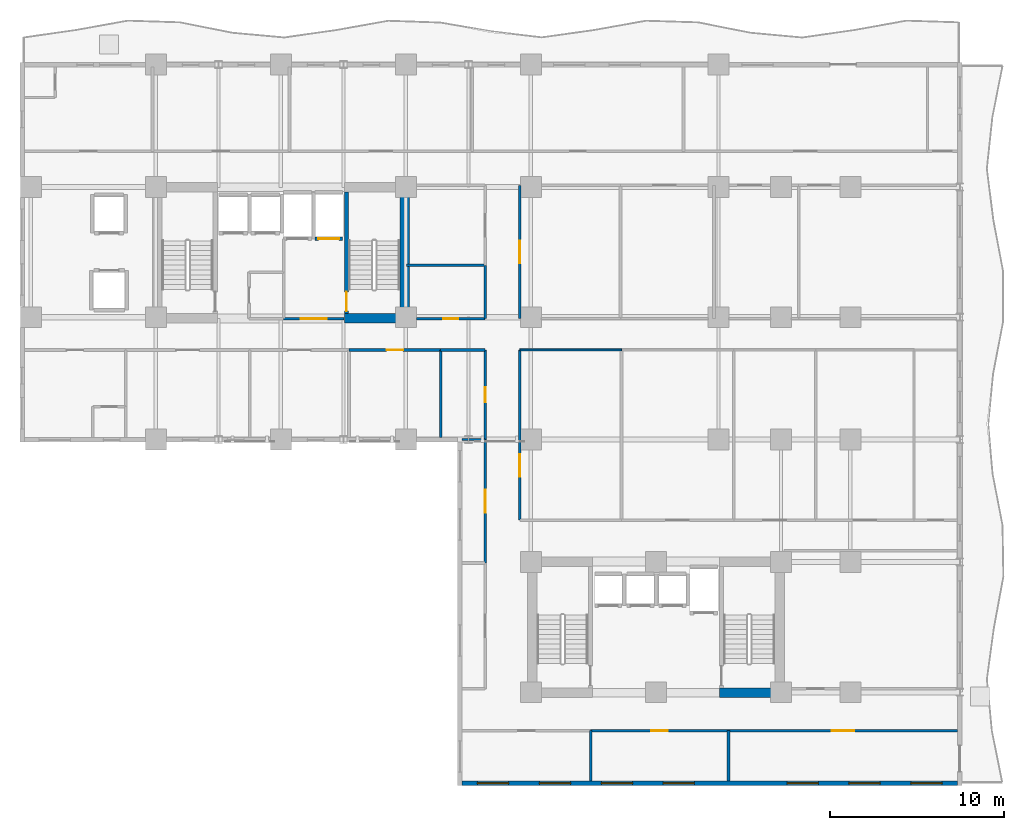
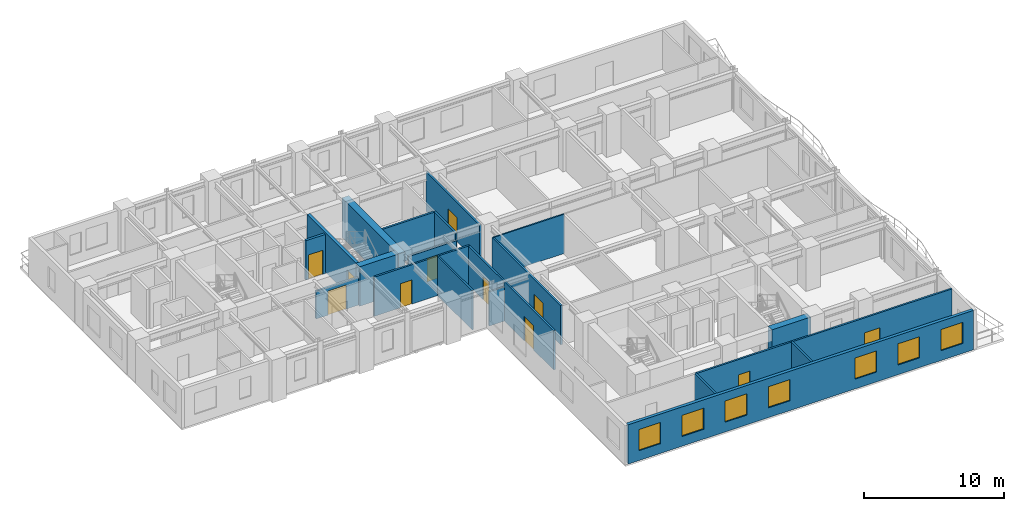
# One storey, part 4 of 11: 23 walls, 11 doors, 7 windows, 18 openings.
"""IFC4 building model written with IfcOpenShell, lengths in metres."""

from ifc_helpers import new_model, si_unit, direction, frame, frame_2d, origin, place, context, subcontext, project, spatial, rectangle, extrude, material, layer, layer_set, type_object, element, fill, save


model = new_model("IFC4")

# Units and contexts
model_context = context("Model", 3, precision=1e-05, world=origin(), true_north=direction((0.0, 1.0)))
body_context = subcontext(model_context, "Body", "Model", "MODEL_VIEW")
ifc_project = project(units=[si_unit("LENGTHUNIT", "METRE"), si_unit("AREAUNIT", "SQUARE_METRE"), si_unit("VOLUMEUNIT", "CUBIC_METRE"), si_unit("PLANEANGLEUNIT", "RADIAN"), si_unit("MASSUNIT", "GRAM", prefix="KILO")], contexts=[model_context])

# Site, building, storey
site_placement = place(None, origin())
site = spatial("IfcSite", under=ifc_project, at=site_placement, CompositionType="ELEMENT")
building_placement = place(site_placement, origin())
building = spatial("IfcBuilding", under=site, at=building_placement, Name="Kaliganga Portal Commons", CompositionType="ELEMENT")
storey_placement = place(building_placement, frame((0.0, 0.0, 104.5)))
storey = spatial("IfcBuildingStorey", under=building, at=storey_placement, Name="L26", CompositionType="ELEMENT", Elevation=104.5)

# Walls
ifc_material_1 = material(Name="Concrete C60/75", Category="concrete")
ifc_layer_1 = layer(ifc_material_1, 0.550048828125)
ifc_layer_set_1 = layer_set([ifc_layer_1], Name="Concrete C60/75")
wall_type_1 = type_object("IfcWallType", Name="WL-CORE-550", PredefinedType="SHEAR", material=ifc_layer_set_1)
wall_1_placement = place(storey_placement, frame((28.72509765625, 28.300048828125, 0.0), z_axis=(0.0, 0.0, 1.0), x_axis=(0.0, 1.0, 0.0)))
element("IfcWall", 1, at=wall_1_placement, inside=storey, type_object=wall_type_1, Name="Core A East Shear Wall L26", PredefinedType="SHEAR", context=body_context, shape_type="SweptSolid", body=[
    extrude(rectangle(XDim=8.099853515625, YDim=0.550048828125, at=frame_2d((4.0498046875, 0.0))), origin(), (0.0, 0.0, 1.0), 3.449951171875),
])
for number, where, z_axis, x_axis, name in (
    (2, (25.25, 28.574951171875, 0.0), (0.0, 0.0, 1.0), (1.0, 0.0, 0.0), "Core A S-East Shear Wall L26"),
    (3, (46.85009765625, 7.02490234375, 0.0), (0.0, 0.0, 1.0), (1.0, 0.0, 0.0), "Core B S-East Shear Wall L26"),
):
    element("IfcWall", number, at=place(storey_placement, frame(where, z_axis=z_axis, x_axis=x_axis)), inside=storey, type_object=wall_type_1, Name=name, PredefinedType="SHEAR", context=body_context, shape_type="SweptSolid", body=[
        extrude(rectangle(XDim=3.199951171875, YDim=0.550048828125, at=frame_2d((1.60009765625, 0.0))), origin(), (0.0, 0.0, 1.0), 3.449951171875),
    ])

# Wall, openings, windows
ifc_material_2 = material(Name="Insulated Aluminium-Clad Spandrel Assembly", Category="aluminium")
ifc_layer_2 = layer(ifc_material_2, 0.260009765625)
ifc_layer_set_2 = layer_set([ifc_layer_2], Name="Insulated Aluminium-Clad Spandrel Assembly")
wall_type_2 = type_object("IfcWallType", Name="WL-EXT-SPAND-260", PredefinedType="STANDARD", material=ifc_layer_set_2)
wall_2_placement = place(storey_placement, frame((60.56494140625, 1.800048828125, 0.0), z_axis=(0.0, 0.0, 1.0), x_axis=(-1.0, 0.0, 0.0)))
wall_2 = element("IfcWall", 4, at=wall_2_placement, inside=storey, type_object=wall_type_2, Name="Exterior Envelope Wall L26 P1-E00-S1", PredefinedType="STANDARD", context=body_context, shape_type="SweptSolid", body=[
    extrude(rectangle(XDim=28.530029296875, YDim=0.260009765625, at=frame_2d((14.26513671875, 0.0))), origin(), (0.0, 0.0, 1.0), 3.429931640625),
])
opening_1_placement = place(wall_2_placement, frame((0.883056640625, 0.0, 0.85009765625)))
opening_1 = element("IfcOpeningElement", 5, at=opening_1_placement, cuts=wall_2, Name="Opening W-01", PredefinedType="OPENING", context=body_context, shape_type="SweptSolid", body=[
    extrude(rectangle(XDim=1.800048828125, YDim=1.85009765625, at=frame_2d((0.89990234375, 0.925048828125))), frame((0.0, 0.14013671875, 0.0), z_axis=(0.0, -1.0, 0.0), x_axis=(1.0, 0.0, 0.0)), (0.0, 0.0, 1.0), 0.280029296875),
])
opening_2_placement = place(wall_2_placement, frame((4.449462890625, 0.0, 0.85009765625)))
opening_2 = element("IfcOpeningElement", 6, at=opening_2_placement, cuts=wall_2, Name="Opening W-01", PredefinedType="OPENING", context=body_context, shape_type="SweptSolid", body=[
    extrude(rectangle(XDim=1.800048828125, YDim=1.85009765625, at=frame_2d((0.89990234375, 0.925048828125))), frame((0.0, 0.14013671875, 0.0), z_axis=(0.0, -1.0, 0.0), x_axis=(1.0, 0.0, 0.0)), (0.0, 0.0, 1.0), 0.280029296875),
])
opening_3_placement = place(wall_2_placement, frame((8.015625, 0.0, 0.85009765625)))
opening_3 = element("IfcOpeningElement", 7, at=opening_3_placement, cuts=wall_2, Name="Opening W-01", PredefinedType="OPENING", context=body_context, shape_type="SweptSolid", body=[
    extrude(rectangle(XDim=1.800048828125, YDim=1.85009765625, at=frame_2d((0.89990234375, 0.925048828125))), frame((0.0, 0.14013671875, 0.0), z_axis=(0.0, -1.0, 0.0), x_axis=(1.0, 0.0, 0.0)), (0.0, 0.0, 1.0), 0.280029296875),
])
opening_4_placement = place(wall_2_placement, frame((15.148193359375, 0.0, 0.85009765625)))
opening_4 = element("IfcOpeningElement", 8, at=opening_4_placement, cuts=wall_2, Name="Opening W-01", PredefinedType="OPENING", context=body_context, shape_type="SweptSolid", body=[
    extrude(rectangle(XDim=1.800048828125, YDim=1.85009765625, at=frame_2d((0.89990234375, 0.925048828125))), frame((0.0, 0.14013671875, 0.0), z_axis=(0.0, -1.0, 0.0), x_axis=(1.0, 0.0, 0.0)), (0.0, 0.0, 1.0), 0.280029296875),
])
opening_5_placement = place(wall_2_placement, frame((18.71435546875, 0.0, 0.85009765625)))
opening_5 = element("IfcOpeningElement", 9, at=opening_5_placement, cuts=wall_2, Name="Opening W-01", PredefinedType="OPENING", context=body_context, shape_type="SweptSolid", body=[
    extrude(rectangle(XDim=1.800048828125, YDim=1.85009765625, at=frame_2d((0.89990234375, 0.925048828125))), frame((0.0, 0.14013671875, 0.0), z_axis=(0.0, -1.0, 0.0), x_axis=(1.0, 0.0, 0.0)), (0.0, 0.0, 1.0), 0.280029296875),
])
opening_6_placement = place(wall_2_placement, frame((22.280517578125, 0.0, 0.85009765625)))
opening_6 = element("IfcOpeningElement", 10, at=opening_6_placement, cuts=wall_2, Name="Opening W-01", PredefinedType="OPENING", context=body_context, shape_type="SweptSolid", body=[
    extrude(rectangle(XDim=1.800048828125, YDim=1.85009765625, at=frame_2d((0.89990234375, 0.925048828125))), frame((0.0, 0.14013671875, 0.0), z_axis=(0.0, -1.0, 0.0), x_axis=(1.0, 0.0, 0.0)), (0.0, 0.0, 1.0), 0.280029296875),
])
opening_7_placement = place(wall_2_placement, frame((25.846923828125, 0.0, 0.85009765625)))
opening_7 = element("IfcOpeningElement", 11, at=opening_7_placement, cuts=wall_2, Name="Opening W-01", PredefinedType="OPENING", context=body_context, shape_type="SweptSolid", body=[
    extrude(rectangle(XDim=1.800048828125, YDim=1.85009765625, at=frame_2d((0.89990234375, 0.925048828125))), frame((0.0, 0.14013671875, 0.0), z_axis=(0.0, -1.0, 0.0), x_axis=(1.0, 0.0, 0.0)), (0.0, 0.0, 1.0), 0.280029296875),
])
ifc_material_3 = material(Name="Thermally Broken Aluminium and Low-E Double Glazing", Category="aluminium")
window_type = type_object("IfcWindowType", Name="WIN-STD-1800", PartitioningType="DOUBLE_PANEL_VERTICAL", PredefinedType="WINDOW", material=ifc_material_3)
window_1_placement = place(opening_1_placement, origin())
window_1 = element("IfcWindow", 12, at=window_1_placement, inside=storey, type_object=window_type, Name="Facade Window L26-P1E00S1-00", OverallHeight=1.85009765625, OverallWidth=1.800048828125, PartitioningType="SINGLE_PANEL", PredefinedType="WINDOW", context=body_context, shape_type="SweptSolid", body=[
    extrude(rectangle(XDim=1.800048828125, YDim=1.85009765625, at=frame_2d((0.89990234375, 0.925048828125))), frame((0.0, 0.030029296875, 0.0), z_axis=(0.0, -1.0, 0.0), x_axis=(1.0, 0.0, 0.0)), (0.0, 0.0, 1.0), 0.06005859375),
])
fill(opening_1, window_1)
window_2_placement = place(opening_2_placement, origin())
window_2 = element("IfcWindow", 13, at=window_2_placement, inside=storey, type_object=window_type, Name="Facade Window L26-P1E00S1-01", OverallHeight=1.85009765625, OverallWidth=1.800048828125, PartitioningType="SINGLE_PANEL", PredefinedType="WINDOW", context=body_context, shape_type="SweptSolid", body=[
    extrude(rectangle(XDim=1.800048828125, YDim=1.85009765625, at=frame_2d((0.89990234375, 0.925048828125))), frame((0.0, 0.030029296875, 0.0), z_axis=(0.0, -1.0, 0.0), x_axis=(1.0, 0.0, 0.0)), (0.0, 0.0, 1.0), 0.06005859375),
])
fill(opening_2, window_2)
window_3_placement = place(opening_3_placement, origin())
window_3 = element("IfcWindow", 14, at=window_3_placement, inside=storey, type_object=window_type, Name="Facade Window L26-P1E00S1-02", OverallHeight=1.85009765625, OverallWidth=1.800048828125, PartitioningType="SINGLE_PANEL", PredefinedType="WINDOW", context=body_context, shape_type="SweptSolid", body=[
    extrude(rectangle(XDim=1.800048828125, YDim=1.85009765625, at=frame_2d((0.89990234375, 0.925048828125))), frame((0.0, 0.030029296875, 0.0), z_axis=(0.0, -1.0, 0.0), x_axis=(1.0, 0.0, 0.0)), (0.0, 0.0, 1.0), 0.06005859375),
])
fill(opening_3, window_3)
window_4_placement = place(opening_4_placement, origin())
window_4 = element("IfcWindow", 15, at=window_4_placement, inside=storey, type_object=window_type, Name="Facade Window L26-P1E00S1-04", OverallHeight=1.85009765625, OverallWidth=1.800048828125, PartitioningType="SINGLE_PANEL", PredefinedType="WINDOW", context=body_context, shape_type="SweptSolid", body=[
    extrude(rectangle(XDim=1.800048828125, YDim=1.85009765625, at=frame_2d((0.89990234375, 0.925048828125))), frame((0.0, 0.030029296875, 0.0), z_axis=(0.0, -1.0, 0.0), x_axis=(1.0, 0.0, 0.0)), (0.0, 0.0, 1.0), 0.06005859375),
])
fill(opening_4, window_4)
window_5_placement = place(opening_5_placement, origin())
window_5 = element("IfcWindow", 16, at=window_5_placement, inside=storey, type_object=window_type, Name="Facade Window L26-P1E00S1-05", OverallHeight=1.85009765625, OverallWidth=1.800048828125, PartitioningType="SINGLE_PANEL", PredefinedType="WINDOW", context=body_context, shape_type="SweptSolid", body=[
    extrude(rectangle(XDim=1.800048828125, YDim=1.85009765625, at=frame_2d((0.89990234375, 0.925048828125))), frame((0.0, 0.030029296875, 0.0), z_axis=(0.0, -1.0, 0.0), x_axis=(1.0, 0.0, 0.0)), (0.0, 0.0, 1.0), 0.06005859375),
])
fill(opening_5, window_5)
window_6_placement = place(opening_6_placement, origin())
window_6 = element("IfcWindow", 17, at=window_6_placement, inside=storey, type_object=window_type, Name="Facade Window L26-P1E00S1-06", OverallHeight=1.85009765625, OverallWidth=1.800048828125, PartitioningType="SINGLE_PANEL", PredefinedType="WINDOW", context=body_context, shape_type="SweptSolid", body=[
    extrude(rectangle(XDim=1.800048828125, YDim=1.85009765625, at=frame_2d((0.89990234375, 0.925048828125))), frame((0.0, 0.030029296875, 0.0), z_axis=(0.0, -1.0, 0.0), x_axis=(1.0, 0.0, 0.0)), (0.0, 0.0, 1.0), 0.06005859375),
])
fill(opening_6, window_6)
window_7_placement = place(opening_7_placement, origin())
window_7 = element("IfcWindow", 18, at=window_7_placement, inside=storey, type_object=window_type, Name="Facade Window L26-P1E00S1-07", OverallHeight=1.85009765625, OverallWidth=1.800048828125, PartitioningType="SINGLE_PANEL", PredefinedType="WINDOW", context=body_context, shape_type="SweptSolid", body=[
    extrude(rectangle(XDim=1.800048828125, YDim=1.85009765625, at=frame_2d((0.89990234375, 0.925048828125))), frame((0.0, 0.030029296875, 0.0), z_axis=(0.0, -1.0, 0.0), x_axis=(1.0, 0.0, 0.0)), (0.0, 0.0, 1.0), 0.06005859375),
])
fill(opening_7, window_7)

# Wall, opening, door
ifc_material_4 = material(Name="Fire-Rated Gypsum Board on Steel Stud", Category="steel")
ifc_layer_3 = layer(ifc_material_4, 0.14990234375)
ifc_layer_set_3 = layer_set([ifc_layer_3], Name="Fire-Rated Gypsum Board on Steel Stud")
wall_type_3 = type_object("IfcWallType", Name="WL-PART-CORR-150", PredefinedType="PARTITIONING", material=ifc_layer_set_3)
wall_3_placement = place(storey_placement, frame((47.3798828125, 4.840087890625, 0.0), z_axis=(0.0, 0.0, 1.0), x_axis=(1.0, 0.0, 0.0)))
wall_3 = element("IfcWall", 19, at=wall_3_placement, inside=storey, type_object=wall_type_3, Name="Interior Partition L26-007", PredefinedType="PARTITIONING", context=body_context, shape_type="SweptSolid", body=[
    extrude(rectangle(XDim=13.188232421875, YDim=0.14990234375, at=frame_2d((6.59423828125, 0.0))), origin(), (0.0, 0.0, 1.0), 3.429931640625),
])
opening_8_placement = place(wall_3_placement, frame((5.944091796875, 0.0, 0.0)))
opening_8 = element("IfcOpeningElement", 20, at=opening_8_placement, cuts=wall_3, Name="Opening RD-03", PredefinedType="OPENING", context=body_context, shape_type="SweptSolid", body=[
    extrude(rectangle(XDim=1.300048828125, YDim=2.1201171875, at=frame_2d((0.64990234375, 1.06005859375))), frame((0.0, 0.0849609375, 0.0), z_axis=(0.0, -1.0, 0.0), x_axis=(1.0, 0.0, 0.0)), (0.0, 0.0, 1.0), 0.169921875),
])
ifc_material_5 = material(Name="Glazed Timber Seminar Vision Door", Category="wood")
door_type_1 = type_object("IfcDoorType", Name="DR-STUDY-1300", OperationType="DOUBLE_DOOR_SINGLE_SWING", PredefinedType="DOOR", material=ifc_material_5)
door_1_placement = place(opening_8_placement, origin())
door_1 = element("IfcDoor", 21, at=door_1_placement, inside=storey, type_object=door_type_1, Name="Interior Door L26-BS03", OperationType="DOUBLE_DOOR_SINGLE_SWING", OverallHeight=2.1201171875, OverallWidth=1.300048828125, PredefinedType="DOOR", context=body_context, shape_type="SweptSolid", body=[
    extrude(rectangle(XDim=1.300048828125, YDim=2.1201171875, at=frame_2d((0.64990234375, 1.06005859375))), frame((0.0, 0.02490234375, 0.0), z_axis=(0.0, -1.0, 0.0), x_axis=(1.0, 0.0, 0.0)), (0.0, 0.0, 1.0), 0.050048828125),
])
fill(opening_8, door_1)

wall_4_placement = place(storey_placement, frame((35.360107421875, 16.9599609375, 0.0), z_axis=(0.0, 0.0, 1.0), x_axis=(0.0, 1.0, 0.0)))
wall_4 = element("IfcWall", 22, at=wall_4_placement, inside=storey, type_object=wall_type_3, Name="Interior Partition L26-013", PredefinedType="PARTITIONING", context=body_context, shape_type="SweptSolid", body=[
    extrude(rectangle(XDim=9.800048828125, YDim=0.14990234375, at=frame_2d((4.89990234375, 0.0))), origin(), (0.0, 0.0, 1.0), 3.429931640625),
])
opening_9_placement = place(wall_4_placement, frame((2.486083984375, 0.0, 0.0)))
opening_9 = element("IfcOpeningElement", 23, at=opening_9_placement, cuts=wall_4, Name="Opening RD-03", PredefinedType="OPENING", context=body_context, shape_type="SweptSolid", body=[
    extrude(rectangle(XDim=1.300048828125, YDim=2.1201171875, at=frame_2d((0.64990234375, 1.06005859375))), frame((0.0, 0.0849609375, 0.0), z_axis=(0.0, -1.0, 0.0), x_axis=(1.0, 0.0, 0.0)), (0.0, 0.0, 1.0), 0.169921875),
])
door_2_placement = place(opening_9_placement, origin())
door_2 = element("IfcDoor", 24, at=door_2_placement, inside=storey, type_object=door_type_1, Name="Interior Door L26-BM01", OperationType="DOUBLE_DOOR_SINGLE_SWING", OverallHeight=2.1201171875, OverallWidth=1.300048828125, PredefinedType="DOOR", context=body_context, shape_type="SweptSolid", body=[
    extrude(rectangle(XDim=1.300048828125, YDim=2.1201171875, at=frame_2d((0.64990234375, 1.06005859375))), frame((0.0, 0.02490234375, 0.0), z_axis=(0.0, -1.0, 0.0), x_axis=(1.0, 0.0, 0.0)), (0.0, 0.0, 1.0), 0.050048828125),
])
fill(opening_9, door_2)

wall_5_placement = place(storey_placement, frame((39.43994140625, 4.840087890625, 0.0), z_axis=(0.0, 0.0, 1.0), x_axis=(1.0, 0.0, 0.0)))
wall_5 = element("IfcWall", 25, at=wall_5_placement, inside=storey, type_object=wall_type_3, Name="Interior Partition L26-016", PredefinedType="PARTITIONING", context=body_context, shape_type="SweptSolid", body=[
    extrude(rectangle(XDim=7.93994140625, YDim=0.14990234375, at=frame_2d((3.969970703125, 0.0))), origin(), (0.0, 0.0, 1.0), 3.429931640625),
])
opening_10_placement = place(wall_5_placement, frame((3.4951171875, 0.0, 0.0)))
opening_10 = element("IfcOpeningElement", 26, at=opening_10_placement, cuts=wall_5, Name="Opening UD-01", PredefinedType="OPENING", context=body_context, shape_type="SweptSolid", body=[
    extrude(rectangle(XDim=0.949951171875, YDim=2.10009765625, at=frame_2d((0.47509765625, 1.050048828125))), frame((0.0, 0.0849609375, 0.0), z_axis=(0.0, -1.0, 0.0), x_axis=(1.0, 0.0, 0.0)), (0.0, 0.0, 1.0), 0.169921875),
])
ifc_material_6 = material(Name="Solid-Core Timber Acoustic Fire Door", Category="wood")
door_type_2 = type_object("IfcDoorType", Name="DR-UNIT-950", OperationType="NOTDEFINED", PredefinedType="DOOR", material=ifc_material_6)
door_3_placement = place(opening_10_placement, origin())
door_3 = element("IfcDoor", 27, at=door_3_placement, inside=storey, type_object=door_type_2, Name="Interior Door L26-BS02", OperationType="SINGLE_SWING_RIGHT", OverallHeight=2.10009765625, OverallWidth=0.949951171875, PredefinedType="DOOR", context=body_context, shape_type="SweptSolid", body=[
    extrude(rectangle(XDim=0.949951171875, YDim=2.10009765625, at=frame_2d((0.47509765625, 1.050048828125))), frame((0.0, 0.02490234375, 0.0), z_axis=(0.0, -1.0, 0.0), x_axis=(1.0, 0.0, 0.0)), (0.0, 0.0, 1.0), 0.050048828125),
])
fill(opening_10, door_3)

wall_6_placement = place(storey_placement, frame((35.360107421875, 28.56005859375, 0.0), z_axis=(0.0, 0.0, 1.0), x_axis=(0.0, 1.0, 0.0)))
wall_6 = element("IfcWall", 28, at=wall_6_placement, inside=storey, type_object=wall_type_3, Name="Interior Partition L26-018", PredefinedType="PARTITIONING", context=body_context, shape_type="SweptSolid", body=[
    extrude(rectangle(XDim=7.679931640625, YDim=0.14990234375, at=frame_2d((3.83984375, 0.0))), origin(), (0.0, 0.0, 1.0), 3.429931640625),
])
opening_11_placement = place(wall_6_placement, frame((3.18994140625, 0.0, 0.0)))
opening_11 = element("IfcOpeningElement", 29, at=opening_11_placement, cuts=wall_6, Name="Opening RD-03", PredefinedType="OPENING", context=body_context, shape_type="SweptSolid", body=[
    extrude(rectangle(XDim=1.300048828125, YDim=2.1201171875, at=frame_2d((0.64990234375, 1.06005859375))), frame((0.0, 0.0849609375, 0.0), z_axis=(0.0, -1.0, 0.0), x_axis=(1.0, 0.0, 0.0)), (0.0, 0.0, 1.0), 0.169921875),
])
door_4_placement = place(opening_11_placement, origin())
door_4 = element("IfcDoor", 30, at=door_4_placement, inside=storey, type_object=door_type_1, Name="Interior Door L26-BK01", OperationType="DOUBLE_DOOR_SINGLE_SWING", OverallHeight=2.1201171875, OverallWidth=1.300048828125, PredefinedType="DOOR", context=body_context, shape_type="SweptSolid", body=[
    extrude(rectangle(XDim=1.300048828125, YDim=2.1201171875, at=frame_2d((0.64990234375, 1.06005859375))), frame((0.0, 0.02490234375, 0.0), z_axis=(0.0, -1.0, 0.0), x_axis=(1.0, 0.0, 0.0)), (0.0, 0.0, 1.0), 0.050048828125),
])
fill(opening_11, door_4)

wall_7_placement = place(storey_placement, frame((33.360107421875, 14.5, 0.0), z_axis=(0.0, 0.0, 1.0), x_axis=(0.0, 1.0, 0.0)))
wall_7 = element("IfcWall", 31, at=wall_7_placement, inside=storey, type_object=wall_type_3, Name="Interior Partition L26-023", PredefinedType="PARTITIONING", context=body_context, shape_type="SweptSolid", body=[
    extrude(rectangle(XDim=7.10009765625, YDim=0.14990234375, at=frame_2d((3.550048828125, 0.0))), origin(), (0.0, 0.0, 1.0), 3.429931640625),
])
opening_12_placement = place(wall_7_placement, frame((2.89990234375, 0.0, 0.0)))
opening_12 = element("IfcOpeningElement", 32, at=opening_12_placement, cuts=wall_7, Name="Opening RD-03", PredefinedType="OPENING", context=body_context, shape_type="SweptSolid", body=[
    extrude(rectangle(XDim=1.300048828125, YDim=2.1201171875, at=frame_2d((0.64990234375, 1.06005859375))), frame((0.0, 0.0849609375, 0.0), z_axis=(0.0, -1.0, 0.0), x_axis=(1.0, 0.0, 0.0)), (0.0, 0.0, 1.0), 0.169921875),
])
door_5_placement = place(opening_12_placement, origin())
door_5 = element("IfcDoor", 33, at=door_5_placement, inside=storey, type_object=door_type_1, Name="Interior Door L26-KW02", OperationType="DOUBLE_DOOR_SINGLE_SWING", OverallHeight=2.1201171875, OverallWidth=1.300048828125, PredefinedType="DOOR", context=body_context, shape_type="SweptSolid", body=[
    extrude(rectangle(XDim=1.300048828125, YDim=2.1201171875, at=frame_2d((0.64990234375, 1.06005859375))), frame((0.0, 0.02490234375, 0.0), z_axis=(0.0, -1.0, 0.0), x_axis=(1.0, 0.0, 0.0)), (0.0, 0.0, 1.0), 0.050048828125),
])
fill(opening_12, door_5)

wall_8_placement = place(storey_placement, frame((25.52001953125, 26.760009765625, 0.0), z_axis=(0.0, 0.0, 1.0), x_axis=(1.0, 0.0, 0.0)))
wall_8 = element("IfcWall", 34, at=wall_8_placement, inside=storey, type_object=wall_type_3, Name="Interior Partition L26-031", PredefinedType="PARTITIONING", context=body_context, shape_type="SweptSolid", body=[
    extrude(rectangle(XDim=5.280029296875, YDim=0.14990234375, at=frame_2d((2.64013671875, 0.0))), origin(), (0.0, 0.0, 1.0), 3.429931640625),
])
opening_13_placement = place(wall_8_placement, frame((2.1650390625, 0.0, 0.0)))
opening_13 = element("IfcOpeningElement", 35, at=opening_13_placement, cuts=wall_8, Name="Opening UD-01", PredefinedType="OPENING", context=body_context, shape_type="SweptSolid", body=[
    extrude(rectangle(XDim=0.949951171875, YDim=2.10009765625, at=frame_2d((0.47509765625, 1.050048828125))), frame((0.0, 0.0849609375, 0.0), z_axis=(0.0, -1.0, 0.0), x_axis=(1.0, 0.0, 0.0)), (0.0, 0.0, 1.0), 0.169921875),
])
door_6_placement = place(opening_13_placement, origin())
door_6 = element("IfcDoor", 36, at=door_6_placement, inside=storey, type_object=door_type_2, Name="Interior Door L26-AS04", OperationType="SINGLE_SWING_LEFT", OverallHeight=2.10009765625, OverallWidth=0.949951171875, PredefinedType="DOOR", context=body_context, shape_type="SweptSolid", body=[
    extrude(rectangle(XDim=0.949951171875, YDim=2.10009765625, at=frame_2d((0.47509765625, 1.050048828125))), frame((0.0, 0.02490234375, 0.0), z_axis=(0.0, -1.0, 0.0), x_axis=(1.0, 0.0, 0.0)), (0.0, 0.0, 1.0), 0.050048828125),
])
fill(opening_13, door_6)

wall_9_placement = place(storey_placement, frame((33.360107421875, 21.60009765625, 0.0), z_axis=(0.0, 0.0, 1.0), x_axis=(0.0, 1.0, 0.0)))
wall_9 = element("IfcWall", 37, at=wall_9_placement, inside=storey, type_object=wall_type_3, Name="Interior Partition L26-032", PredefinedType="PARTITIONING", context=body_context, shape_type="SweptSolid", body=[
    extrude(rectangle(XDim=5.159912109375, YDim=0.14990234375, at=frame_2d((2.580078125, 0.0))), origin(), (0.0, 0.0, 1.0), 3.429931640625),
])
opening_14_placement = place(wall_9_placement, frame((2.155029296875, 0.0, 0.0)))
opening_14 = element("IfcOpeningElement", 38, at=opening_14_placement, cuts=wall_9, Name="Opening WD-01", PredefinedType="OPENING", context=body_context, shape_type="SweptSolid", body=[
    extrude(rectangle(XDim=0.85009765625, YDim=2.0400390625, at=frame_2d((0.425048828125, 1.02001953125))), frame((0.0, 0.0849609375, 0.0), z_axis=(0.0, -1.0, 0.0), x_axis=(1.0, 0.0, 0.0)), (0.0, 0.0, 1.0), 0.169921875),
])
ifc_material_7 = material(Name="Moisture-Resistant Laminate Timber Door", Category="wood")
door_type_3 = type_object("IfcDoorType", Name="DR-WET-850", OperationType="NOTDEFINED", PredefinedType="DOOR", material=ifc_material_7)
door_7_placement = place(opening_14_placement, origin())
door_7 = element("IfcDoor", 39, at=door_7_placement, inside=storey, type_object=door_type_3, Name="Interior Door L26-AS05", OperationType="SINGLE_SWING_RIGHT", OverallHeight=2.0400390625, OverallWidth=0.85009765625, PredefinedType="DOOR", context=body_context, shape_type="SweptSolid", body=[
    extrude(rectangle(XDim=0.85009765625, YDim=2.0400390625, at=frame_2d((0.425048828125, 1.02001953125))), frame((0.0, 0.02490234375, 0.0), z_axis=(0.0, -1.0, 0.0), x_axis=(1.0, 0.0, 0.0)), (0.0, 0.0, 1.0), 0.050048828125),
])
fill(opening_14, door_7)

wall_10_placement = place(storey_placement, frame((29.39990234375, 28.56005859375, 0.0), z_axis=(0.0, 0.0, 1.0), x_axis=(1.0, 0.0, 0.0)))
wall_10 = element("IfcWall", 40, at=wall_10_placement, inside=storey, type_object=wall_type_3, Name="Interior Partition L26-037", PredefinedType="PARTITIONING", context=body_context, shape_type="SweptSolid", body=[
    extrude(rectangle(XDim=3.960205078125, YDim=0.14990234375, at=frame_2d((1.97998046875, 0.0))), origin(), (0.0, 0.0, 1.0), 2.780029296875),
])
opening_15_placement = place(wall_10_placement, frame((1.550048828125, 0.0, 0.0)))
opening_15 = element("IfcOpeningElement", 41, at=opening_15_placement, cuts=wall_10, Name="Opening WD-02", PredefinedType="OPENING", context=body_context, shape_type="SweptSolid", body=[
    extrude(rectangle(XDim=0.860107421875, YDim=2.02001953125, at=frame_2d((0.43017578125, 1.010009765625))), frame((0.0, 0.0849609375, 0.0), z_axis=(0.0, -1.0, 0.0), x_axis=(1.0, 0.0, 0.0)), (0.0, 0.0, 1.0), 0.169921875),
])
ifc_material_8 = material(Name="Fire-Rated Utility Closet Door", Category="wood")
door_type_4 = type_object("IfcDoorType", Name="DR-STORE-800", OperationType="NOTDEFINED", PredefinedType="DOOR", material=ifc_material_8)
door_8_placement = place(opening_15_placement, origin())
door_8 = element("IfcDoor", 42, at=door_8_placement, inside=storey, type_object=door_type_4, Name="Interior Door L26-CSRV_A1", OperationType="SINGLE_SWING_RIGHT", OverallHeight=2.02001953125, OverallWidth=0.860107421875, PredefinedType="DOOR", context=body_context, shape_type="SweptSolid", body=[
    extrude(rectangle(XDim=0.860107421875, YDim=2.02001953125, at=frame_2d((0.43017578125, 1.010009765625))), frame((0.0, 0.02490234375, 0.0), z_axis=(0.0, -1.0, 0.0), x_axis=(1.0, 0.0, 0.0)), (0.0, 0.0, 1.0), 0.050048828125),
])
fill(opening_15, door_8)

# Walls
wall_11_placement = place(storey_placement, frame((33.360107421875, 28.56005859375, 0.0), z_axis=(0.0, 0.0, 1.0), x_axis=(0.0, 1.0, 0.0)))
element("IfcWall", 43, at=wall_11_placement, inside=storey, type_object=wall_type_3, Name="Interior Partition L26-039", PredefinedType="PARTITIONING", context=body_context, shape_type="SweptSolid", body=[
    extrude(rectangle(XDim=3.079833984375, YDim=0.14990234375, at=frame_2d((1.5400390625, 0.0))), origin(), (0.0, 0.0, 1.0), 3.429931640625),
])
wall_12_placement = place(storey_placement, frame((30.800048828125, 26.760009765625, 0.0), z_axis=(0.0, 0.0, 1.0), x_axis=(1.0, 0.0, 0.0)))
element("IfcWall", 44, at=wall_12_placement, inside=storey, type_object=wall_type_3, Name="Interior Partition L26-043", PredefinedType="PARTITIONING", context=body_context, shape_type="SweptSolid", body=[
    extrude(rectangle(XDim=2.56005859375, YDim=0.14990234375, at=frame_2d((1.280029296875, 0.0))), origin(), (0.0, 0.0, 1.0), 3.429931640625),
])

# Wall, opening, door
wall_13_placement = place(storey_placement, frame((21.760009765625, 28.56005859375, 0.0), z_axis=(0.0, 0.0, 1.0), x_axis=(1.0, 0.0, 0.0)))
wall_13 = element("IfcWall", 45, at=wall_13_placement, inside=storey, type_object=wall_type_3, Name="Interior Partition L26-074", PredefinedType="PARTITIONING", context=body_context, shape_type="SweptSolid", body=[
    extrude(rectangle(XDim=3.47998046875, YDim=0.14990234375, at=frame_2d((1.739990234375, 0.0))), origin(), (0.0, 0.0, 1.0), 2.429931640625),
])
opening_16_placement = place(wall_13_placement, frame((0.989990234375, 0.0, 0.0)))
opening_16 = element("IfcOpeningElement", 46, at=opening_16_placement, cuts=wall_13, Name="Opening FD-01", PredefinedType="OPENING", context=body_context, shape_type="SweptSolid", body=[
    extrude(rectangle(XDim=1.5, YDim=2.10009765625, at=frame_2d((0.75, 1.050048828125))), frame((0.0, 0.0849609375, 0.0), z_axis=(0.0, -1.0, 0.0), x_axis=(1.0, 0.0, 0.0)), (0.0, 0.0, 1.0), 0.169921875),
])
ifc_material_9 = material(Name="Fire-Rated Hardwood and Georgian-Wired Vision Panel", Category="wood")
door_type_5 = type_object("IfcDoorType", Name="DR-LOBBY-1500", OperationType="DOUBLE_DOOR_SINGLE_SWING", PredefinedType="DOOR", material=ifc_material_9)
door_9_placement = place(opening_16_placement, origin())
door_9 = element("IfcDoor", 47, at=door_9_placement, inside=storey, type_object=door_type_5, Name="Interior Door L26-FFLOB_A", OperationType="DOUBLE_DOOR_SINGLE_SWING", OverallHeight=2.10009765625, OverallWidth=1.5, PredefinedType="DOOR", context=body_context, shape_type="SweptSolid", body=[
    extrude(rectangle(XDim=1.5, YDim=2.10009765625, at=frame_2d((0.75, 1.050048828125))), frame((0.0, 0.02490234375, 0.0), z_axis=(0.0, -1.0, 0.0), x_axis=(1.0, 0.0, 0.0)), (0.0, 0.0, 1.0), 0.050048828125),
])
fill(opening_16, door_9)

# Walls
ifc_material_10 = material(Name="Moisture-Resistant Gypsum Partition", Category="gypsum")
ifc_layer_4 = layer(ifc_material_10, 0.114990234375)
ifc_layer_set_4 = layer_set([ifc_layer_4], Name="Moisture-Resistant Gypsum Partition")
wall_type_4 = type_object("IfcWallType", Name="WL-PART-ROOM-115", PredefinedType="PARTITIONING", material=ifc_layer_set_4)
wall_14_placement = place(storey_placement, frame((35.360107421875, 26.760009765625, 0.0), z_axis=(0.0, 0.0, 1.0), x_axis=(1.0, 0.0, 0.0)))
element("IfcWall", 48, at=wall_14_placement, inside=storey, type_object=wall_type_4, Name="Interior Partition L26-058", PredefinedType="PARTITIONING", context=body_context, shape_type="SweptSolid", body=[
    extrude(rectangle(XDim=5.85986328125, YDim=0.114990234375, at=frame_2d((2.929931640625, 0.0))), origin(), (0.0, 0.0, 1.0), 3.429931640625),
])
ifc_material_11 = material(Name="Twin-Stud Acoustic Gypsum Partition", Category="gypsum")
ifc_layer_5 = layer(ifc_material_11, 0.1650390625)
ifc_layer_set_5 = layer_set([ifc_layer_5], Name="Twin-Stud Acoustic Gypsum Partition")
wall_type_5 = type_object("IfcWallType", Name="WL-PART-UNIT-165", PredefinedType="PARTITIONING", material=ifc_layer_set_5)
wall_15_placement = place(storey_placement, frame((28.840087890625, 31.639892578125, 0.0), z_axis=(0.0, 0.0, 1.0), x_axis=(1.0, 0.0, 0.0)))
element("IfcWall", 49, at=wall_15_placement, inside=storey, type_object=wall_type_5, Name="Interior Partition L26-073", PredefinedType="PARTITIONING", context=body_context, shape_type="SweptSolid", body=[
    extrude(rectangle(XDim=4.52001953125, YDim=0.1650390625, at=frame_2d((2.260009765625, 0.0))), origin(), (0.0, 0.0, 1.0), 3.429931640625),
])
for number, where, z_axis, x_axis, name in (
    (50, (39.43994140625, 1.931884765625, 0.0), (0.0, 0.0, 1.0), (0.0, 1.0, 0.0), "Interior Partition L26-076"),
    (51, (47.3798828125, 1.931884765625, 0.0), (0.0, 0.0, 1.0), (0.0, 1.0, 0.0), "Interior Partition L26-077"),
):
    element("IfcWall", number, at=place(storey_placement, frame(where, z_axis=z_axis, x_axis=x_axis)), inside=storey, type_object=wall_type_5, Name=name, PredefinedType="PARTITIONING", context=body_context, shape_type="SweptSolid", body=[
        extrude(rectangle(XDim=2.908203125, YDim=0.1650390625, at=frame_2d((1.4541015625, 0.0))), origin(), (0.0, 0.0, 1.0), 3.429931640625),
    ])
ifc_material_12 = material(Name="Cement-Board Wet-Room Partition", Category="gypsum")
ifc_layer_6 = layer(ifc_material_12, 0.135009765625)
ifc_layer_set_6 = layer_set([ifc_layer_6], Name="Cement-Board Wet-Room Partition")
wall_type_6 = type_object("IfcWallType", Name="WL-PART-WET-135", PredefinedType="PARTITIONING", material=ifc_layer_set_6)
wall_16_placement = place(storey_placement, frame((30.800048828125, 21.73193359375, 0.0), z_axis=(0.0, 0.0, 1.0), x_axis=(0.0, 1.0, 0.0)))
element("IfcWall", 52, at=wall_16_placement, inside=storey, type_object=wall_type_6, Name="Interior Partition L26-064", PredefinedType="PARTITIONING", context=body_context, shape_type="SweptSolid", body=[
    extrude(rectangle(XDim=5.028076171875, YDim=0.135009765625, at=frame_2d((2.51416015625, 0.0))), origin(), (0.0, 0.0, 1.0), 3.429931640625),
])
wall_17_placement = place(storey_placement, frame((32.031982421875, 21.60009765625, 0.0), z_axis=(0.0, 0.0, 1.0), x_axis=(1.0, 0.0, 0.0)))
element("IfcWall", 53, at=wall_17_placement, inside=storey, type_object=wall_type_6, Name="Interior Partition L26-081", PredefinedType="PARTITIONING", context=body_context, shape_type="SweptSolid", body=[
    extrude(rectangle(XDim=1.328125, YDim=0.135009765625, at=frame_2d((0.6640625, 0.0))), origin(), (0.0, 0.0, 1.0), 2.97998046875),
])

# Wall, opening, door
ifc_material_13 = material(Name="Fire-Rated Shaftwall Masonry Assembly", Category="masonry")
ifc_layer_7 = layer(ifc_material_13, 0.199951171875)
ifc_layer_set_7 = layer_set([ifc_layer_7], Name="Fire-Rated Shaftwall Masonry Assembly")
wall_type_7 = type_object("IfcWallType", Name="WL-SHAFT-200", PredefinedType="PARTITIONING", material=ifc_layer_set_7)
wall_18_placement = place(storey_placement, frame((23.550048828125, 33.159912109375, 0.0), z_axis=(0.0, 0.0, 1.0), x_axis=(1.0, 0.0, 0.0)))
wall_18 = element("IfcWall", 54, at=wall_18_placement, inside=storey, type_object=wall_type_7, Name="Lift FFL-2 Hoistway Shaft Wall L26-S", PredefinedType="PARTITIONING", context=body_context, shape_type="SweptSolid", body=[
    extrude(rectangle(XDim=1.599853515625, YDim=0.199951171875, at=frame_2d((0.7998046875, 0.0))), origin(), (0.0, 0.0, 1.0), 3.429931640625),
])
opening_17_placement = place(wall_18_placement, frame((0.199951171875, 0.0, 0.0)))
opening_17 = element("IfcOpeningElement", 55, at=opening_17_placement, cuts=wall_18, Name="Opening LD-02", PredefinedType="OPENING", context=body_context, shape_type="SweptSolid", body=[
    extrude(rectangle(XDim=1.199951171875, YDim=2.1201171875, at=frame_2d((0.60009765625, 1.06005859375))), frame((0.0, 0.10986328125, 0.0), z_axis=(0.0, -1.0, 0.0), x_axis=(1.0, 0.0, 0.0)), (0.0, 0.0, 1.0), 0.219970703125),
])
ifc_material_14 = material(Name="Brushed Stainless Steel 316 Stretcher Lift Landing Door", Category="steel")
door_type_6 = type_object("IfcDoorType", Name="DR-LIFT-1200", OperationType="SLIDING_TO_RIGHT", PredefinedType="DOOR", material=ifc_material_14)
door_10_placement = place(opening_17_placement, origin())
door_10 = element("IfcDoor", 56, at=door_10_placement, inside=storey, type_object=door_type_6, Name="Lift FFL-2 Sliding Landing Door L26", OperationType="SLIDING_TO_RIGHT", OverallHeight=2.1201171875, OverallWidth=1.199951171875, PredefinedType="DOOR", context=body_context, shape_type="SweptSolid", body=[
    extrude(rectangle(XDim=1.199951171875, YDim=2.1201171875, at=frame_2d((0.60009765625, 1.06005859375))), frame((0.0, 0.02490234375, 0.0), z_axis=(0.0, -1.0, 0.0), x_axis=(1.0, 0.0, 0.0)), (0.0, 0.0, 1.0), 0.050048828125),
])
fill(opening_17, door_10)

ifc_material_15 = material(Name="Concrete C50/60", Category="concrete")
ifc_layer_8 = layer(ifc_material_15, 0.25)
ifc_layer_set_8 = layer_set([ifc_layer_8], Name="Concrete C50/60")
wall_type_8 = type_object("IfcWallType", Name="WL-STAIR-250", PredefinedType="SHEAR", material=ifc_layer_set_8)
wall_19_placement = place(storey_placement, frame((25.375, 28.85009765625, 0.0), z_axis=(0.0, 0.0, 1.0), x_axis=(0.0, 1.0, 0.0)))
wall_19 = element("IfcWall", 57, at=wall_19_placement, inside=storey, type_object=wall_type_8, Name="Stair A2 Enclosure Shear Wall L26", PredefinedType="SHEAR", context=body_context, shape_type="SweptSolid", body=[
    extrude(rectangle(XDim=7.0, YDim=0.25, at=frame_2d((3.5, 0.0))), origin(), (0.0, 0.0, 1.0), 3.449951171875),
])
opening_18_placement = place(wall_19_placement, frame((0.14990234375, 0.0, 0.0)))
opening_18 = element("IfcOpeningElement", 58, at=opening_18_placement, cuts=wall_19, Name="Opening SD-01", PredefinedType="OPENING", context=body_context, shape_type="SweptSolid", body=[
    extrude(rectangle(XDim=1.10009765625, YDim=2.080078125, at=frame_2d((0.550048828125, 1.0400390625))), frame((0.0, 0.135009765625, 0.0), z_axis=(0.0, -1.0, 0.0), x_axis=(1.0, 0.0, 0.0)), (0.0, 0.0, 1.0), 0.27001953125),
])
ifc_material_16 = material(Name="Galvanized Steel Fire Door Leaf and Frame", Category="steel")
door_type_7 = type_object("IfcDoorType", Name="DR-STAIR-1100", OperationType="NOTDEFINED", PredefinedType="DOOR", material=ifc_material_16)
door_11_placement = place(opening_18_placement, origin())
door_11 = element("IfcDoor", 59, at=door_11_placement, inside=storey, type_object=door_type_7, Name="Protected Stair ST-A2 Fire Door L26", OperationType="SINGLE_SWING_LEFT", OverallHeight=2.080078125, OverallWidth=1.10009765625, PredefinedType="DOOR", context=body_context, shape_type="SweptSolid", body=[
    extrude(rectangle(XDim=1.10009765625, YDim=2.080078125, at=frame_2d((0.550048828125, 1.0400390625))), frame((0.0, 0.02490234375, 0.0), z_axis=(0.0, -1.0, 0.0), x_axis=(1.0, 0.0, 0.0)), (0.0, 0.0, 1.0), 0.050048828125),
])
fill(opening_18, door_11)

save(model, "model.ifc")
